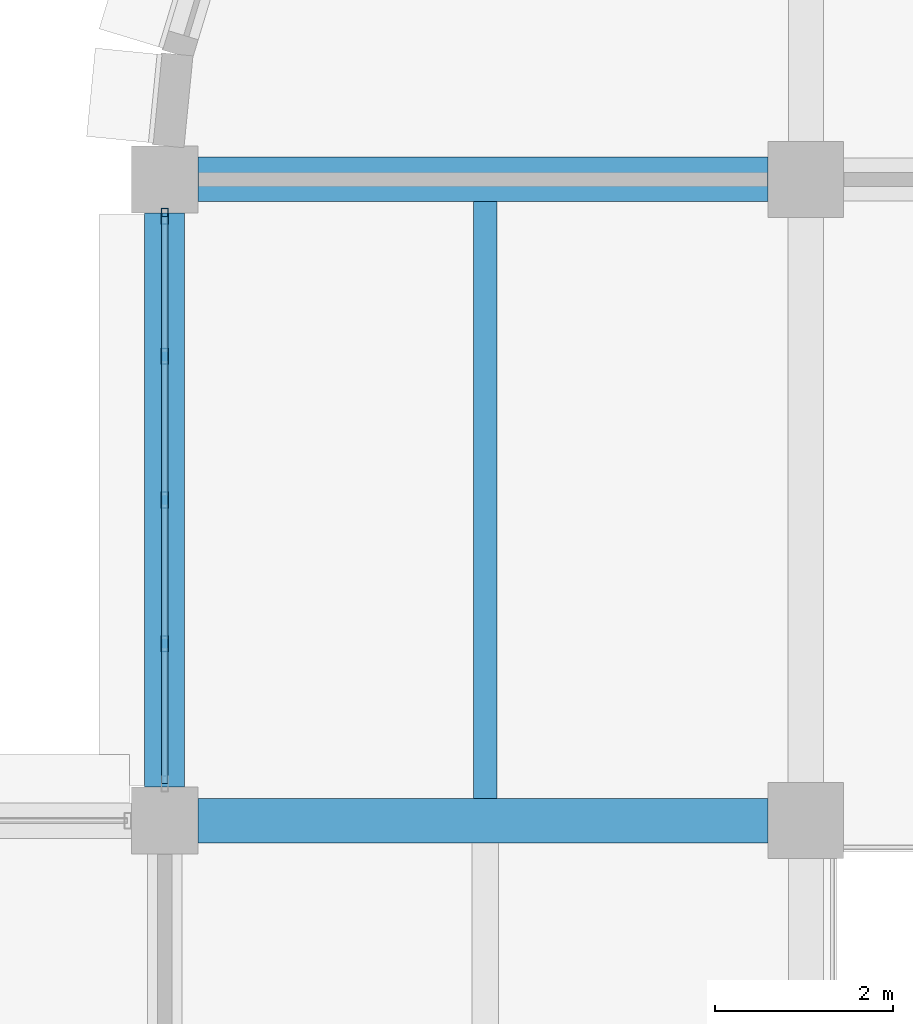
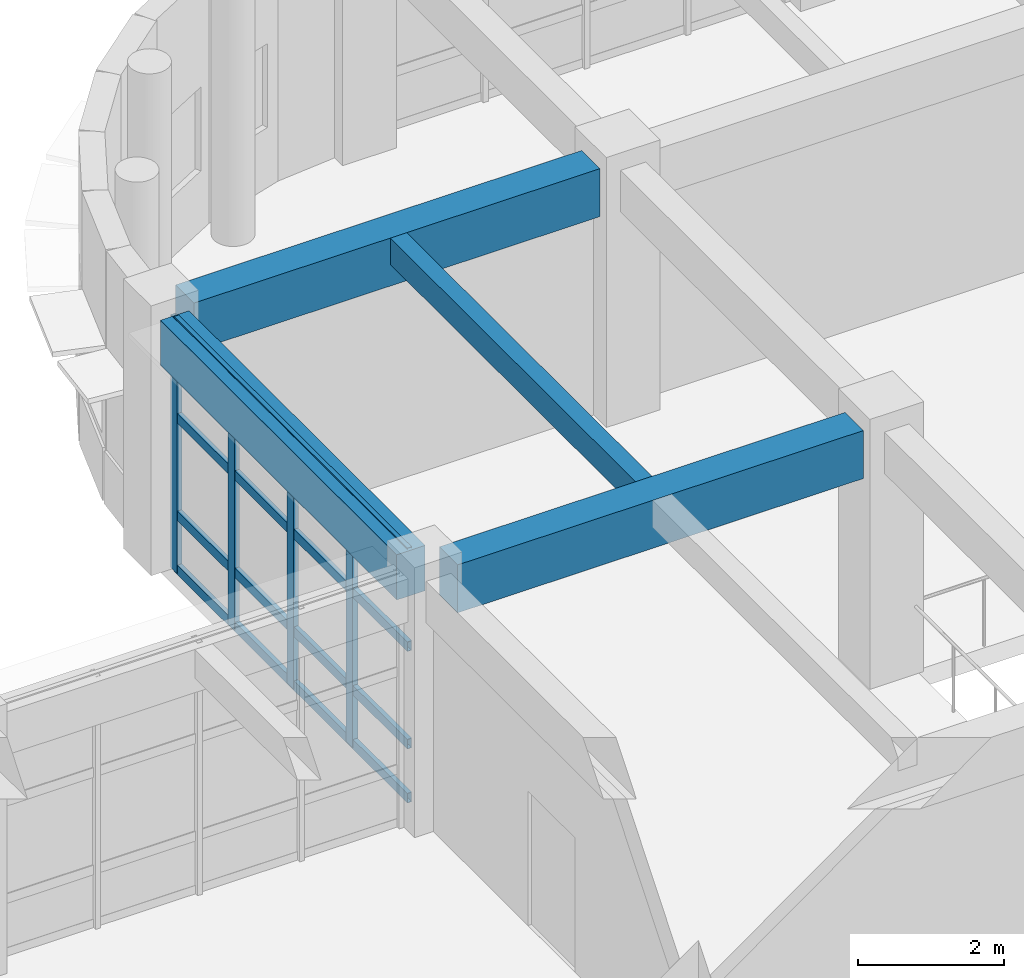
# One storey, part 18 of 171: 8 members, 4 beams, 1 element without a shape of its own.
"""IFC4 building model written with IfcOpenShell, lengths in metres."""

from ifc_helpers import new_model, si_unit, direction, frame, origin, origin_2d, place, context, subcontext, project, spatial, rectangle, hollow_rectangle, extrude, material, material_profile, profile_set, type_object, element, aggregate, save


model = new_model("IFC4")

# Units and contexts
model_context = context("Model", 3, precision=1e-05, world=origin(), true_north=direction((0.0, 1.0)))
body_context = subcontext(model_context, "Body", "Model", "MODEL_VIEW")
ifc_project = project(units=[si_unit("LENGTHUNIT", "METRE"), si_unit("AREAUNIT", "SQUARE_METRE"), si_unit("VOLUMEUNIT", "CUBIC_METRE"), si_unit("PLANEANGLEUNIT", "RADIAN"), si_unit("MASSUNIT", "GRAM", prefix="KILO")], contexts=[model_context])

# Site, building, storey
site_placement = place(None, origin())
site = spatial("IfcSite", under=ifc_project, at=site_placement, CompositionType="ELEMENT")
building_placement = place(site_placement, origin())
building = spatial("IfcBuilding", under=site, at=building_placement, Name="Thalmaran Polytechnic", CompositionType="ELEMENT")
storey_placement = place(building_placement, frame((0.0, 0.0, 5.39990234375)))
storey = spatial("IfcBuildingStorey", under=building, at=storey_placement, Name="L01", CompositionType="ELEMENT", Elevation=5.39990234375)

# Beams
ifc_material_1 = material(Name="Concrete C40/50", Category="concrete")
ifc_material_profile_1 = material_profile(ifc_material_1, rectangle(XDim=0.5, YDim=0.800048828125, at=origin_2d()), Name="RC 500x800")
ifc_profile_set_1 = profile_set([ifc_material_profile_1], Name="Concrete C40/50")
beam_type_1 = type_object("IfcBeamType", Name="BM-RC02", PredefinedType="BEAM", material=ifc_profile_set_1)
for number, where, z_axis, x_axis, name in (
    (1, (57.97509765625, 21.60009765625, 3.81005859375), (1.0, 0.0, 0.0), (0.0, 1.0, 0.0), "Grid Beam B02 L01 X(8,3)"),
    (2, (57.97509765625, 28.800048828125, 3.81005859375), (1.0, 0.0, 0.0), (0.0, 1.0, 0.0), "Grid Beam B02 L01 X(8,4)"),
):
    element("IfcBeam", number, at=place(storey_placement, frame(where, z_axis=z_axis, x_axis=x_axis)), inside=storey, type_object=beam_type_1, Name=name, PredefinedType="BEAM", context=body_context, shape_type="SweptSolid", body=[
        extrude(rectangle(XDim=0.5, YDim=0.800048828125, at=origin_2d()), origin(), (0.0, 0.0, 1.0), 6.39990234375),
    ])
ifc_material_profile_2 = material_profile(ifc_material_1, rectangle(XDim=0.449951171875, YDim=0.7548828125, at=origin_2d()), Name="RC 450x755")
ifc_profile_set_2 = profile_set([ifc_material_profile_2], Name="Concrete C40/50")
beam_type_2 = type_object("IfcBeamType", Name="BM-SP02", PredefinedType="SPANDREL", material=ifc_profile_set_2)
beam_1_placement = place(storey_placement, frame((57.60009765625, 21.97509765625, 3.83251953125), z_axis=(0.0, 1.0, 0.0), x_axis=(-1.0, 0.0, 0.0)))
element("IfcBeam", 3, at=beam_1_placement, inside=storey, type_object=beam_type_2, Name="Grid Beam SP02 L01 Y(8,3)", PredefinedType="SPANDREL", context=body_context, shape_type="SweptSolid", body=[
    extrude(rectangle(XDim=0.449951171875, YDim=0.7548828125, at=origin_2d()), origin(), (0.0, 0.0, 1.0), 6.449951171875),
])
ifc_material_profile_3 = material_profile(ifc_material_1, rectangle(XDim=0.260009765625, YDim=0.43994140625, at=origin_2d()), Name="RC 260x440")
ifc_profile_set_3 = profile_set([ifc_material_profile_3], Name="Concrete C40/50")
beam_type_3 = type_object("IfcBeamType", Name="BM-ZJ02", PredefinedType="JOIST", material=ifc_profile_set_3)
beam_2_placement = place(storey_placement, frame((61.199951171875, 21.85009765625, 3.989990234375), z_axis=(0.0, 1.0, 0.0), x_axis=(-1.0, 0.0, 0.0)))
element("IfcBeam", 4, at=beam_2_placement, inside=storey, type_object=beam_type_3, Name="Secondary Floor Rib ZJ02 L01 (8,3)", PredefinedType="JOIST", context=body_context, shape_type="SweptSolid", body=[
    extrude(rectangle(XDim=0.260009765625, YDim=0.43994140625, at=origin_2d()), origin(), (0.0, 0.0, 1.0), 6.699951171875),
])

# Curtain wall, members
ifc_material_2 = material(Name="Aluminium 6063-T6", Category="aluminium")
curtain_wall_type = type_object("IfcCurtainWallType", Name="CW-UC02", PredefinedType="USERDEFINED", material=ifc_material_2)
curtain_wall_placement = place(storey_placement, origin())
curtain_wall = element("IfcCurtainWall", 5, at=curtain_wall_placement, inside=storey, type_object=curtain_wall_type, Name="Curtain Wall CW-L01-167", ObjectType="UNITISED CURTAIN WALL", PredefinedType="USERDEFINED")
ifc_material_profile_4 = material_profile(ifc_material_2, hollow_rectangle(XDim=0.080078125, YDim=0.179931640625, WallThickness=0.0048828125, at=origin_2d()), Name="RHS 180x80x5.0")
ifc_profile_set_4 = profile_set([ifc_material_profile_4], Name="Aluminium 6063-T6")
member_type_1 = type_object("IfcMemberType", Name="CW-MUL1", PredefinedType="MULLION", material=ifc_profile_set_4)
member_1_placement = place(storey_placement, frame((57.60009765625, 23.58740234375, 0.0), z_axis=(0.0, 0.0, 1.0), x_axis=(1.0, 0.0, 0.0)))
member_1 = element("IfcMember", 6, at=member_1_placement, type_object=member_type_1, Name="CW-L01-167 Mullion 2", PredefinedType="MULLION", context=body_context, shape_type="SweptSolid", body=[
    extrude(hollow_rectangle(XDim=0.080078125, YDim=0.179931640625, WallThickness=0.0048828125, at=origin_2d()), origin(), (0.0, 0.0, 1.0), 4.210205078125),
])
member_2_placement = place(storey_placement, frame((57.60009765625, 25.199951171875, 0.0), z_axis=(0.0, 0.0, 1.0), x_axis=(1.0, 0.0, 0.0)))
member_2 = element("IfcMember", 7, at=member_2_placement, type_object=member_type_1, Name="CW-L01-167 Mullion 3", PredefinedType="MULLION", context=body_context, shape_type="SweptSolid", body=[
    extrude(hollow_rectangle(XDim=0.080078125, YDim=0.179931640625, WallThickness=0.0048828125, at=origin_2d()), origin(), (0.0, 0.0, 1.0), 4.210205078125),
])
member_3_placement = place(storey_placement, frame((57.60009765625, 26.8125, 0.0), z_axis=(0.0, 0.0, 1.0), x_axis=(1.0, 0.0, 0.0)))
member_3 = element("IfcMember", 8, at=member_3_placement, type_object=member_type_1, Name="CW-L01-167 Mullion 4", PredefinedType="MULLION", context=body_context, shape_type="SweptSolid", body=[
    extrude(hollow_rectangle(XDim=0.080078125, YDim=0.179931640625, WallThickness=0.0048828125, at=origin_2d()), origin(), (0.0, 0.0, 1.0), 4.210205078125),
])
member_4_placement = place(storey_placement, frame((57.60009765625, 28.385009765625, 0.0), z_axis=(0.0, 0.0, 1.0), x_axis=(1.0, 0.0, 0.0)))
member_4 = element("IfcMember", 9, at=member_4_placement, type_object=member_type_1, Name="CW-L01-167 Mullion 5", PredefinedType="MULLION", context=body_context, shape_type="SweptSolid", body=[
    extrude(hollow_rectangle(XDim=0.080078125, YDim=0.179931640625, WallThickness=0.0048828125, at=origin_2d()), origin(), (0.0, 0.0, 1.0), 4.210205078125),
])
ifc_material_profile_5 = material_profile(ifc_material_2, hollow_rectangle(XDim=0.070068359375, YDim=0.159912109375, WallThickness=0.00390625, at=origin_2d()), Name="AL 160x70x4.0")
ifc_profile_set_5 = profile_set([ifc_material_profile_5], Name="Aluminium 6063-T6")
member_type_2 = type_object("IfcMemberType", Name="CW-TRN1", PredefinedType="USERDEFINED", material=ifc_profile_set_5)
member_5_placement = place(storey_placement, frame((57.60009765625, 22.014892578125, 0.06005859375), z_axis=(0.0, 1.0, 0.0), x_axis=(-1.0, 0.0, 0.0)))
member_5 = element("IfcMember", 10, at=member_5_placement, type_object=member_type_2, Name="CW-L01-167 Transom 1", ObjectType="TRANSOM", PredefinedType="USERDEFINED", context=body_context, shape_type="SweptSolid", body=[
    extrude(hollow_rectangle(XDim=0.070068359375, YDim=0.159912109375, WallThickness=0.00390625, at=origin_2d()), origin(), (0.0, 0.0, 1.0), 6.3701171875),
])
member_6_placement = place(storey_placement, frame((57.60009765625, 22.014892578125, 0.960205078125), z_axis=(0.0, 1.0, 0.0), x_axis=(-1.0, 0.0, 0.0)))
member_6 = element("IfcMember", 11, at=member_6_placement, type_object=member_type_2, Name="CW-L01-167 Transom 2", ObjectType="TRANSOM", PredefinedType="USERDEFINED", context=body_context, shape_type="SweptSolid", body=[
    extrude(hollow_rectangle(XDim=0.070068359375, YDim=0.159912109375, WallThickness=0.00390625, at=origin_2d()), origin(), (0.0, 0.0, 1.0), 6.3701171875),
])
member_7_placement = place(storey_placement, frame((57.60009765625, 22.014892578125, 2.585205078125), z_axis=(0.0, 1.0, 0.0), x_axis=(-1.0, 0.0, 0.0)))
member_7 = element("IfcMember", 12, at=member_7_placement, type_object=member_type_2, Name="CW-L01-167 Transom 3", ObjectType="TRANSOM", PredefinedType="USERDEFINED", context=body_context, shape_type="SweptSolid", body=[
    extrude(hollow_rectangle(XDim=0.070068359375, YDim=0.159912109375, WallThickness=0.00390625, at=origin_2d()), origin(), (0.0, 0.0, 1.0), 6.3701171875),
])
member_8_placement = place(storey_placement, frame((57.60009765625, 22.014892578125, 4.150146484375), z_axis=(0.0, 1.0, 0.0), x_axis=(-1.0, 0.0, 0.0)))
member_8 = element("IfcMember", 13, at=member_8_placement, type_object=member_type_2, Name="CW-L01-167 Transom 4", ObjectType="TRANSOM", PredefinedType="USERDEFINED", context=body_context, shape_type="SweptSolid", body=[
    extrude(hollow_rectangle(XDim=0.070068359375, YDim=0.159912109375, WallThickness=0.00390625, at=origin_2d()), origin(), (0.0, 0.0, 1.0), 6.3701171875),
])
aggregate(curtain_wall, [member_1, member_2, member_3, member_4, member_5, member_6, member_7, member_8])

save(model, "model.ifc")
